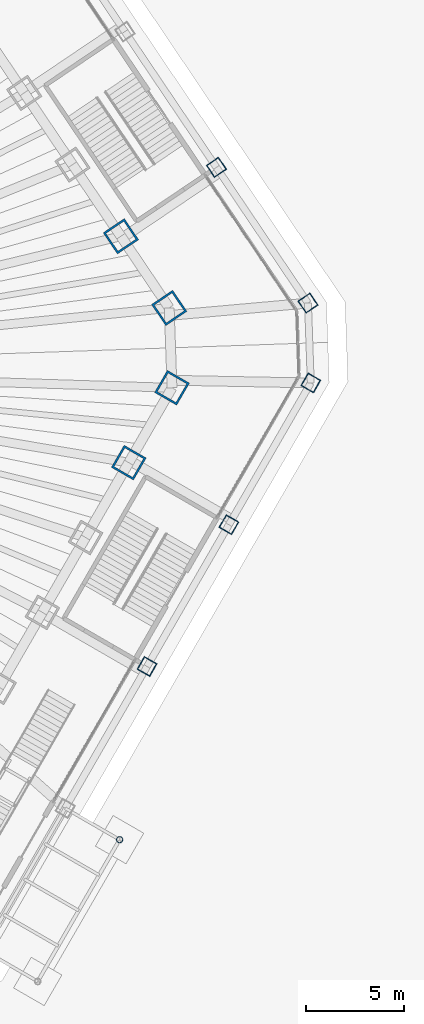
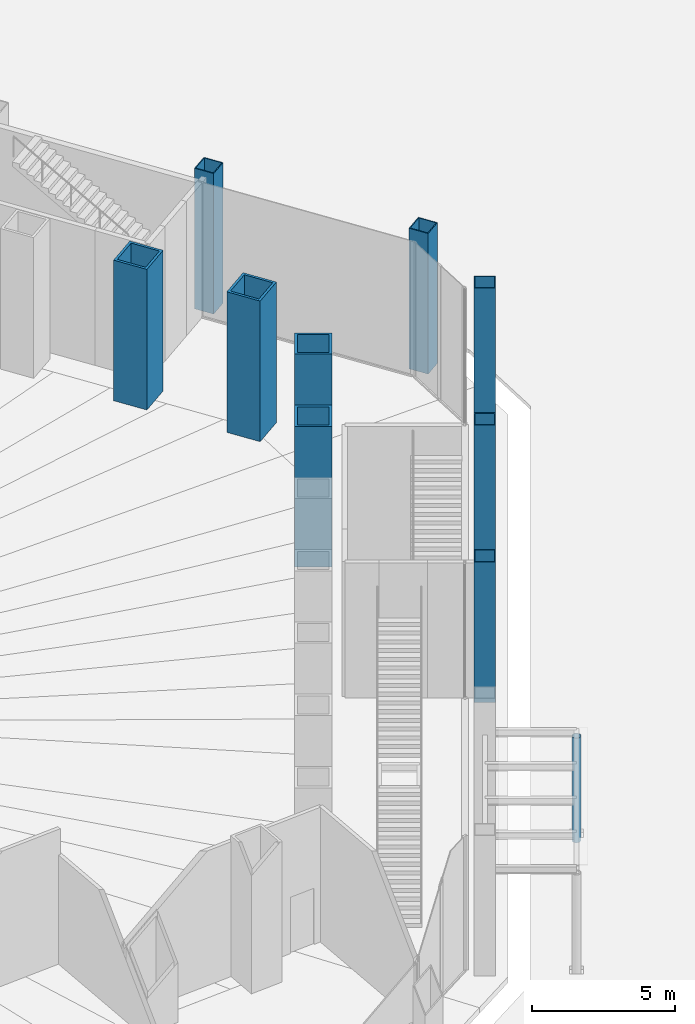
# One storey, part 7 of 45: 10 columns.
"""IFC4 building model written with IfcOpenShell, lengths in metres."""

from ifc_helpers import new_model, si_unit, direction, frame, origin, origin_2d, place, context, subcontext, project, spatial, hollow_rectangle, hollow_circle, extrude, material, material_profile, profile_set, type_object, element, save


model = new_model("IFC4")

# Units and contexts
model_context = context("Model", 3, precision=1e-05, world=origin(), true_north=direction((0.0, 1.0)))
body_context = subcontext(model_context, "Body", "Model", "MODEL_VIEW")
ifc_project = project(units=[si_unit("LENGTHUNIT", "METRE"), si_unit("AREAUNIT", "SQUARE_METRE"), si_unit("VOLUMEUNIT", "CUBIC_METRE"), si_unit("PLANEANGLEUNIT", "RADIAN"), si_unit("MASSUNIT", "GRAM", prefix="KILO")], contexts=[model_context])

# Site, building, storey
site_placement = place(None, origin())
site = spatial("IfcSite", under=ifc_project, at=site_placement, CompositionType="ELEMENT")
building_placement = place(site_placement, origin())
building = spatial("IfcBuilding", under=site, at=building_placement, Name="Qingtian Harvest Tower", CompositionType="ELEMENT")
storey_placement = place(building_placement, origin())
storey = spatial("IfcBuildingStorey", under=building, at=storey_placement, Name="L00", CompositionType="ELEMENT", Elevation=0.0)

# Columns
ifc_material_1 = material(Name="Steel SN490B", Category="steel")
ifc_material_profile_1 = material_profile(ifc_material_1, hollow_circle(Radius=0.161865234375, WallThickness=0.012451171875, at=origin_2d()), Name="CHS324x12.5")
ifc_profile_set_1 = profile_set([ifc_material_profile_1], Name="Steel SN490B")
column_type_1 = type_object("IfcColumnType", Name="Canopy column CC1 CHS324x12.5", PredefinedType="COLUMN", material=ifc_profile_set_1)
column_placement = place(storey_placement, frame((27.94775390625, -23.992919921875, -0.300048828125), z_axis=(0.0, 0.0, 1.0), x_axis=(1.0, 0.0, 0.0)))
element("IfcColumn", 1, at=column_placement, inside=storey, type_object=column_type_1, Name="Canopy column CC1 CN3 3", PredefinedType="COLUMN", context=body_context, shape_type="SweptSolid", body=[
    extrude(hollow_circle(Radius=0.161865234375, WallThickness=0.012451171875, at=origin_2d()), origin(), (0.0, 0.0, 1.0), 4.4599609375),
])
ifc_material_2 = material(Name="Steel SM570MC", Category="steel")
ifc_material_profile_2 = material_profile(ifc_material_2, hollow_rectangle(XDim=0.75, YDim=0.75, WallThickness=0.035888671875, at=origin_2d()), Name="BOX750x750x36")
ifc_profile_set_2 = profile_set([ifc_material_profile_2], Name="Steel SM570MC")
column_type_2 = type_object("IfcColumnType", Name="Podium column PC1 BOX750x750x36", PredefinedType="COLUMN", material=ifc_profile_set_2)
for number, where, z_axis, x_axis, name in (
    (2, (32.882568359375, 10.263427734375, 0.0), (0.0, 0.0, 1.0), (-0.559192903471, 0.829037572555, 0.0), "Podium column PC1 NE3"),
    (3, (37.689208984375, -0.720458984375, 0.0), (0.0, 0.0, 1.0), (0.5, 0.866025403784, 0.0), "Podium column PC1 SE0"),
    (4, (33.518310546875, -7.944580078125, 0.0), (0.0, 0.0, 1.0), (0.5, 0.866025403784, 0.0), "Podium column PC1 SE1"),
    (5, (29.347412109375, -15.168701171875, 0.0), (0.0, 0.0, 1.0), (0.5, 0.866025403784, 0.0), "Podium column PC1 SE2"),
    (6, (37.547119140625, 3.34765625, 0.0), (0.0, 0.0, 1.0), (-0.559192903471, 0.829037572555, 0.0), "Podium column PC1 NE4"),
):
    element("IfcColumn", number, at=place(storey_placement, frame(where, z_axis=z_axis, x_axis=x_axis)), inside=storey, type_object=column_type_2, Name=name, PredefinedType="COLUMN", context=body_context, shape_type="SweptSolid", body=[
        extrude(hollow_rectangle(XDim=0.75, YDim=0.75, WallThickness=0.035888671875, at=origin_2d()), origin(), (0.0, 0.0, 1.0), 6.0),
    ])
ifc_material_3 = material(Name="Steel SM570MC", Category="steel")
ifc_material_profile_3 = material_profile(ifc_material_3, hollow_rectangle(XDim=1.300048828125, YDim=1.300048828125, WallThickness=0.10009765625, at=origin_2d()), Name="BOX1300x1300x100")
ifc_profile_set_3 = profile_set([ifc_material_profile_3], Name="Steel SM570MC")
column_type_3 = type_object("IfcColumnType", Name="Tube column TC1 BOX1300x1300x100", PredefinedType="COLUMN", material=ifc_profile_set_3)
for number, where, z_axis, x_axis, name in (
    (7, (28.013427734375, 6.75244140625, 0.0), (0.0, 0.0, 1.0), (-0.559192903471, 0.829037572555, 0.0), "Tube column TC1 NE5"),
    (8, (30.476318359375, 3.100830078125, 0.0), (0.0, 0.0, 1.0), (-0.559192903471, 0.829037572555, 0.0), "Tube column TC1 NE6"),
    (9, (30.618408203125, -0.96728515625, 0.0), (0.0, 0.0, 1.0), (0.5, 0.866025403784, 0.0), "Tube column TC1 SE0"),
    (10, (28.416015625, -4.78173828125, 0.0), (0.0, 0.0, 1.0), (0.5, 0.866025403784, 0.0), "Tube column TC1 SE1"),
):
    element("IfcColumn", number, at=place(storey_placement, frame(where, z_axis=z_axis, x_axis=x_axis)), inside=storey, type_object=column_type_3, Name=name, PredefinedType="COLUMN", context=body_context, shape_type="SweptSolid", body=[
        extrude(hollow_rectangle(XDim=1.300048828125, YDim=1.300048828125, WallThickness=0.10009765625, at=origin_2d()), origin(), (0.0, 0.0, 1.0), 6.0),
    ])

save(model, "model.ifc")
